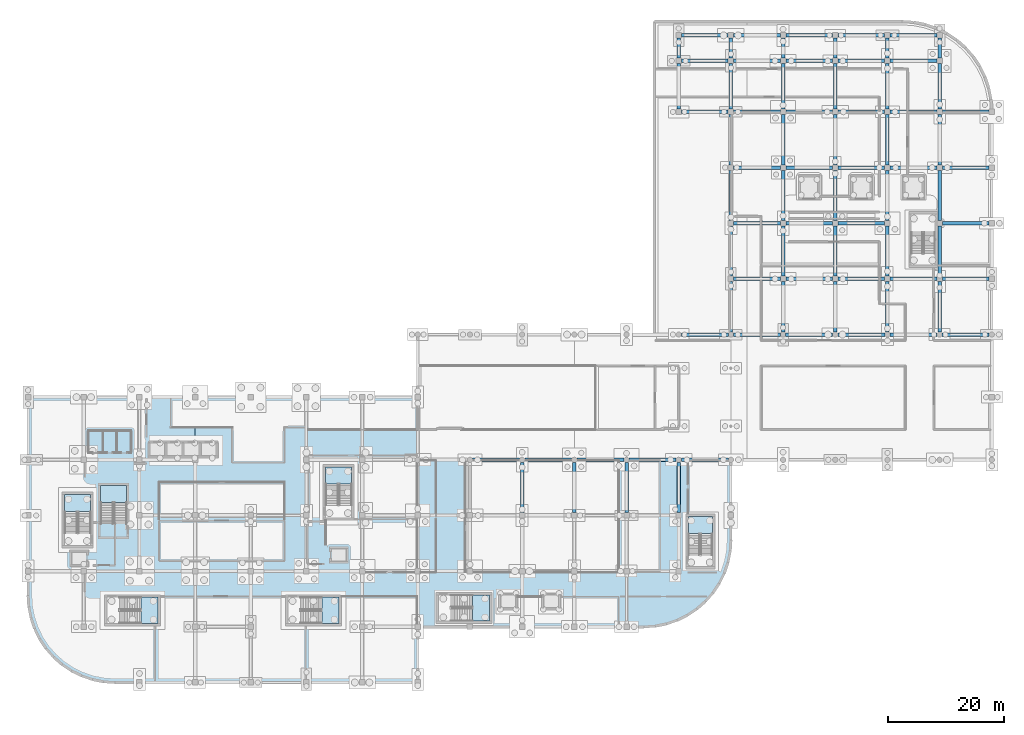
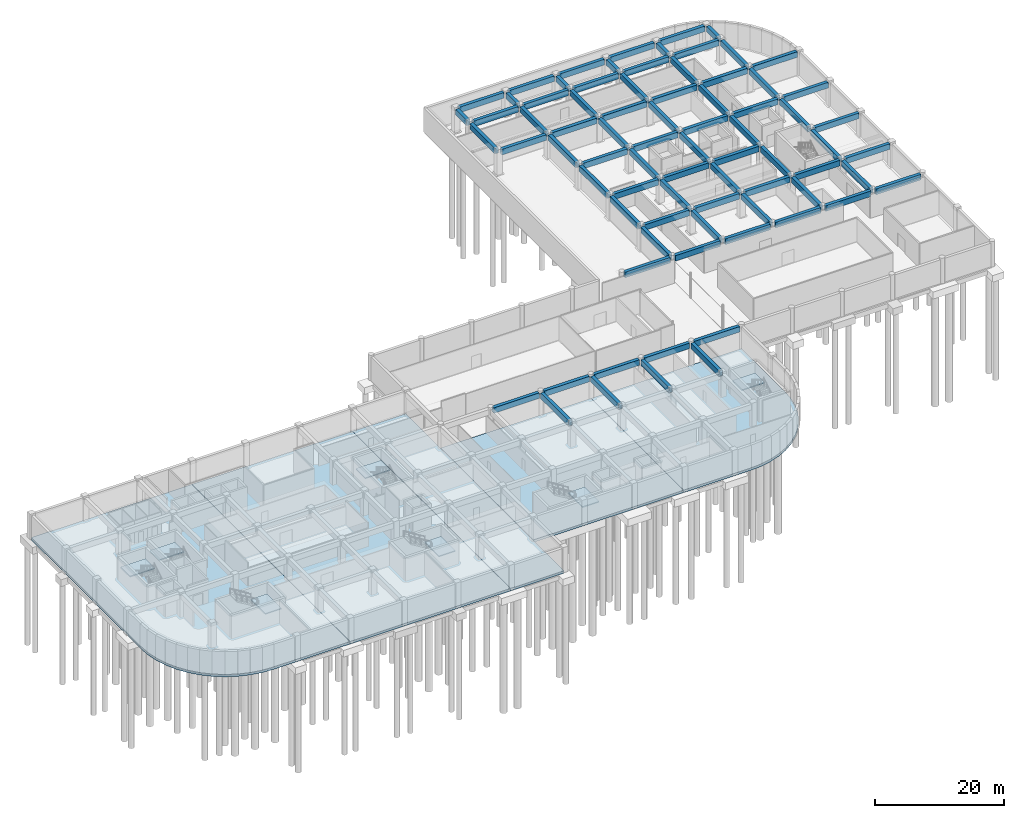
# One storey, part 11 of 47: 77 beams, 12 slabs, 7 elements without a shape of their own.
"""IFC4 building model written with IfcOpenShell, lengths in metres."""

from ifc_helpers import new_model, si_unit, direction, frame, origin, origin_2d, place, context, subcontext, project, spatial, polyline, rectangle, outline, extrude, material, layer, layer_set, material_profile, profile_set, type_object, element, aggregate, save


model = new_model("IFC4")

# Units and contexts
model_context = context("Model", 3, precision=1e-05, world=origin(), true_north=direction((0.0, 1.0)))
body_context = subcontext(model_context, "Body", "Model", "MODEL_VIEW")
ifc_project = project(units=[si_unit("LENGTHUNIT", "METRE"), si_unit("AREAUNIT", "SQUARE_METRE"), si_unit("VOLUMEUNIT", "CUBIC_METRE"), si_unit("PLANEANGLEUNIT", "RADIAN"), si_unit("MASSUNIT", "GRAM", prefix="KILO")], contexts=[model_context])

# Site, building, storey
site_placement = place(None, origin())
site = spatial("IfcSite", under=ifc_project, at=site_placement, CompositionType="ELEMENT")
building_placement = place(site_placement, origin())
building = spatial("IfcBuilding", under=site, at=building_placement, Name="Cendralis Terraced Arcade", CompositionType="ELEMENT")
storey_placement = place(building_placement, frame((0.0, 0.0, -4.800048828125)))
storey = spatial("IfcBuildingStorey", under=building, at=storey_placement, Name="B1", CompositionType="ELEMENT", Elevation=-4.800048828125)

# Beams
ifc_material = material(Name="Concrete f'c 35 MPa", Category="concrete")
ifc_material_profile = material_profile(ifc_material, rectangle(XDim=0.60009765625, YDim=1.050048828125, at=origin_2d()), Name="RC-BM-600x1050", Category="LoadBearing")
ifc_profile_set = profile_set([ifc_material_profile], Name="Concrete f'c 35 MPa")
beam_type = type_object("IfcBeamType", Name="BM-600x1050", PredefinedType="JOIST", material=ifc_profile_set)
for number, where, z_axis, x_axis, name in (
    (1, (76.64990234375, 38.39990234375, 3.97509765625), (1.0, 0.0, 0.0), (0.0, 1.0, 0.0), "Reinforced Concrete Frame Beam BM-X-L00-E-9_10"),
    (2, (85.64990234375, 38.39990234375, 3.97509765625), (1.0, 0.0, 0.0), (0.0, 1.0, 0.0), "Reinforced Concrete Frame Beam BM-X-L00-E-10_11"),
    (3, (94.64990234375, 38.39990234375, 3.97509765625), (1.0, 0.0, 0.0), (0.0, 1.0, 0.0), "Reinforced Concrete Frame Beam BM-X-L00-E-11_12"),
    (4, (103.64990234375, 38.39990234375, 3.97509765625), (1.0, 0.0, 0.0), (0.0, 1.0, 0.0), "Reinforced Concrete Frame Beam BM-X-L00-E-12_13"),
    (5, (112.64990234375, 38.39990234375, 3.97509765625), (1.0, 0.0, 0.0), (0.0, 1.0, 0.0), "Reinforced Concrete Frame Beam BM-X-L00-E-13_14"),
    (6, (112.64990234375, 60.0, 3.97509765625), (1.0, 0.0, 0.0), (0.0, 1.0, 0.0), "Reinforced Concrete Frame Beam BM-X-L00-G-13_14"),
    (7, (121.64990234375, 60.0, 3.97509765625), (1.0, 0.0, 0.0), (0.0, 1.0, 0.0), "Reinforced Concrete Frame Beam BM-X-L00-G-14_15"),
    (8, (130.64990234375, 60.0, 3.97509765625), (1.0, 0.0, 0.0), (0.0, 1.0, 0.0), "Reinforced Concrete Frame Beam BM-X-L00-G-15_16"),
    (9, (139.64990234375, 60.0, 3.97509765625), (1.0, 0.0, 0.0), (0.0, 1.0, 0.0), "Reinforced Concrete Frame Beam BM-X-L00-G-16_17"),
    (10, (148.64990234375, 60.0, 3.97509765625), (1.0, 0.0, 0.0), (0.0, 1.0, 0.0), "Reinforced Concrete Frame Beam BM-X-L00-G-17_18"),
    (11, (157.64990234375, 60.0, 3.97509765625), (1.0, 0.0, 0.0), (0.0, 1.0, 0.0), "Reinforced Concrete Frame Beam BM-X-L00-G-18_19"),
):
    element("IfcBeam", number, at=place(storey_placement, frame(where, z_axis=z_axis, x_axis=x_axis)), inside=storey, type_object=beam_type, Name=name, PredefinedType="JOIST", context=body_context, shape_type="SweptSolid", body=[
        extrude(rectangle(XDim=0.60009765625, YDim=1.050048828125, at=origin_2d()), origin(), (0.0, 0.0, 1.0), 8.10009765625),
    ])
for number, where, z_axis, x_axis, name in (
    (12, (121.675048828125, 69.60009765625, 3.97509765625), (1.0, 0.0, 0.0), (0.0, 1.0, 0.0), "Reinforced Concrete Frame Beam BM-X-L00-H-14_15"),
    (13, (130.675048828125, 69.60009765625, 3.97509765625), (1.0, 0.0, 0.0), (0.0, 1.0, 0.0), "Reinforced Concrete Frame Beam BM-X-L00-H-15_16"),
    (14, (139.675048828125, 69.60009765625, 3.97509765625), (1.0, 0.0, 0.0), (0.0, 1.0, 0.0), "Reinforced Concrete Frame Beam BM-X-L00-H-16_17"),
    (15, (148.675048828125, 69.60009765625, 3.97509765625), (1.0, 0.0, 0.0), (0.0, 1.0, 0.0), "Reinforced Concrete Frame Beam BM-X-L00-H-17_18"),
    (16, (157.675048828125, 69.60009765625, 3.97509765625), (1.0, 0.0, 0.0), (0.0, 1.0, 0.0), "Reinforced Concrete Frame Beam BM-X-L00-H-18_19"),
    (17, (121.675048828125, 79.199951171875, 3.97509765625), (1.0, 0.0, 0.0), (0.0, 1.0, 0.0), "Reinforced Concrete Frame Beam BM-X-L00-J-14_15"),
    (18, (130.675048828125, 79.199951171875, 3.97509765625), (1.0, 0.0, 0.0), (0.0, 1.0, 0.0), "Reinforced Concrete Frame Beam BM-X-L00-J-15_16"),
    (19, (139.675048828125, 79.199951171875, 3.97509765625), (1.0, 0.0, 0.0), (0.0, 1.0, 0.0), "Reinforced Concrete Frame Beam BM-X-L00-J-16_17"),
    (20, (157.675048828125, 79.199951171875, 3.97509765625), (1.0, 0.0, 0.0), (0.0, 1.0, 0.0), "Reinforced Concrete Frame Beam BM-X-L00-J-18_19"),
    (21, (121.675048828125, 88.800048828125, 3.97509765625), (1.0, 0.0, 0.0), (0.0, 1.0, 0.0), "Reinforced Concrete Frame Beam BM-X-L00-K-14_15"),
    (22, (130.675048828125, 88.800048828125, 3.97509765625), (1.0, 0.0, 0.0), (0.0, 1.0, 0.0), "Reinforced Concrete Frame Beam BM-X-L00-K-15_16"),
    (23, (139.675048828125, 88.800048828125, 3.97509765625), (1.0, 0.0, 0.0), (0.0, 1.0, 0.0), "Reinforced Concrete Frame Beam BM-X-L00-K-16_17"),
    (24, (148.675048828125, 88.800048828125, 3.97509765625), (1.0, 0.0, 0.0), (0.0, 1.0, 0.0), "Reinforced Concrete Frame Beam BM-X-L00-K-17_18"),
    (25, (157.675048828125, 88.800048828125, 3.97509765625), (1.0, 0.0, 0.0), (0.0, 1.0, 0.0), "Reinforced Concrete Frame Beam BM-X-L00-K-18_19"),
    (26, (112.675048828125, 98.39990234375, 3.97509765625), (1.0, 0.0, 0.0), (0.0, 1.0, 0.0), "Reinforced Concrete Frame Beam BM-X-L00-L-13_14"),
    (27, (121.675048828125, 98.39990234375, 3.97509765625), (1.0, 0.0, 0.0), (0.0, 1.0, 0.0), "Reinforced Concrete Frame Beam BM-X-L00-L-14_15"),
    (28, (130.675048828125, 98.39990234375, 3.97509765625), (1.0, 0.0, 0.0), (0.0, 1.0, 0.0), "Reinforced Concrete Frame Beam BM-X-L00-L-15_16"),
    (29, (139.675048828125, 98.39990234375, 3.97509765625), (1.0, 0.0, 0.0), (0.0, 1.0, 0.0), "Reinforced Concrete Frame Beam BM-X-L00-L-16_17"),
    (30, (148.675048828125, 98.39990234375, 3.97509765625), (1.0, 0.0, 0.0), (0.0, 1.0, 0.0), "Reinforced Concrete Frame Beam BM-X-L00-L-17_18"),
    (31, (157.675048828125, 98.39990234375, 3.97509765625), (1.0, 0.0, 0.0), (0.0, 1.0, 0.0), "Reinforced Concrete Frame Beam BM-X-L00-L-18_19"),
    (32, (112.675048828125, 107.199951171875, 3.97509765625), (1.0, 0.0, 0.0), (0.0, 1.0, 0.0), "Reinforced Concrete Frame Beam BM-X-L00-M-13_14"),
    (33, (121.675048828125, 107.199951171875, 3.97509765625), (1.0, 0.0, 0.0), (0.0, 1.0, 0.0), "Reinforced Concrete Frame Beam BM-X-L00-M-14_15"),
    (34, (130.675048828125, 107.199951171875, 3.97509765625), (1.0, 0.0, 0.0), (0.0, 1.0, 0.0), "Reinforced Concrete Frame Beam BM-X-L00-M-15_16"),
    (35, (139.675048828125, 107.199951171875, 3.97509765625), (1.0, 0.0, 0.0), (0.0, 1.0, 0.0), "Reinforced Concrete Frame Beam BM-X-L00-M-16_17"),
    (36, (148.675048828125, 107.199951171875, 3.97509765625), (1.0, 0.0, 0.0), (0.0, 1.0, 0.0), "Reinforced Concrete Frame Beam BM-X-L00-M-17_18"),
    (37, (112.675048828125, 111.60009765625, 3.97509765625), (1.0, 0.0, 0.0), (0.0, 1.0, 0.0), "Reinforced Concrete Frame Beam BM-X-L00-N-13_14"),
    (38, (121.675048828125, 111.60009765625, 3.97509765625), (1.0, 0.0, 0.0), (0.0, 1.0, 0.0), "Reinforced Concrete Frame Beam BM-X-L00-N-14_15"),
    (39, (130.675048828125, 111.60009765625, 3.97509765625), (1.0, 0.0, 0.0), (0.0, 1.0, 0.0), "Reinforced Concrete Frame Beam BM-X-L00-N-15_16"),
    (40, (139.675048828125, 111.60009765625, 3.97509765625), (1.0, 0.0, 0.0), (0.0, 1.0, 0.0), "Reinforced Concrete Frame Beam BM-X-L00-N-16_17"),
    (41, (148.675048828125, 111.60009765625, 3.97509765625), (1.0, 0.0, 0.0), (0.0, 1.0, 0.0), "Reinforced Concrete Frame Beam BM-X-L00-N-17_18"),
):
    element("IfcBeam", number, at=place(storey_placement, frame(where, z_axis=z_axis, x_axis=x_axis)), inside=storey, type_object=beam_type, Name=name, PredefinedType="JOIST", context=body_context, shape_type="SweptSolid", body=[
        extrude(rectangle(XDim=0.60009765625, YDim=1.050048828125, at=origin_2d()), origin(), (0.0, 0.0, 1.0), 8.050048828125),
    ])
for number, where, z_axis, x_axis, name in (
    (42, (85.199951171875, 29.27490234375, 3.97509765625), (0.0, 1.0, 0.0), (-1.0, 0.0, 0.0), "Reinforced Concrete Frame Beam BM-Y-L00-10-D_E"),
    (43, (94.199951171875, 29.27490234375, 3.97509765625), (0.0, 1.0, 0.0), (-1.0, 0.0, 0.0), "Reinforced Concrete Frame Beam BM-Y-L00-11-D_E"),
    (44, (103.199951171875, 29.27490234375, 3.97509765625), (0.0, 1.0, 0.0), (-1.0, 0.0, 0.0), "Reinforced Concrete Frame Beam BM-Y-L00-12-D_E"),
    (45, (112.199951171875, 29.27490234375, 3.97509765625), (0.0, 1.0, 0.0), (-1.0, 0.0, 0.0), "Reinforced Concrete Frame Beam BM-Y-L00-13-D_E"),
):
    element("IfcBeam", number, at=place(storey_placement, frame(where, z_axis=z_axis, x_axis=x_axis)), inside=storey, type_object=beam_type, Name=name, PredefinedType="JOIST", context=body_context, shape_type="SweptSolid", body=[
        extrude(rectangle(XDim=0.60009765625, YDim=1.050048828125, at=origin_2d()), origin(), (0.0, 0.0, 1.0), 8.675048828125),
    ])
beam_1_placement = place(storey_placement, frame((112.199951171875, 98.875, 3.97509765625), z_axis=(0.0, 1.0, 0.0), x_axis=(-1.0, 0.0, 0.0)))
element("IfcBeam", 46, at=beam_1_placement, inside=storey, type_object=beam_type, Name="Reinforced Concrete Frame Beam BM-Y-L00-13-L_M", PredefinedType="JOIST", context=body_context, shape_type="SweptSolid", body=[
    extrude(rectangle(XDim=0.60009765625, YDim=1.050048828125, at=origin_2d()), origin(), (0.0, 0.0, 1.0), 7.85009765625),
])
beam_2_placement = place(storey_placement, frame((112.199951171875, 107.675048828125, 3.97509765625), z_axis=(0.0, 1.0, 0.0), x_axis=(-1.0, 0.0, 0.0)))
element("IfcBeam", 47, at=beam_2_placement, inside=storey, type_object=beam_type, Name="Reinforced Concrete Frame Beam BM-Y-L00-13-M_N", PredefinedType="JOIST", context=body_context, shape_type="SweptSolid", body=[
    extrude(rectangle(XDim=0.60009765625, YDim=1.050048828125, at=origin_2d()), origin(), (0.0, 0.0, 1.0), 3.449951171875),
])
beam_3_placement = place(storey_placement, frame((121.199951171875, 60.449951171875, 3.97509765625), z_axis=(0.0, 1.0, 0.0), x_axis=(-1.0, 0.0, 0.0)))
element("IfcBeam", 48, at=beam_3_placement, inside=storey, type_object=beam_type, Name="Reinforced Concrete Frame Beam BM-Y-L00-14-G_H", PredefinedType="JOIST", context=body_context, shape_type="SweptSolid", body=[
    extrude(rectangle(XDim=0.60009765625, YDim=1.050048828125, at=origin_2d()), origin(), (0.0, 0.0, 1.0), 8.675048828125),
])
beam_4_placement = place(storey_placement, frame((121.199951171875, 70.074951171875, 3.97509765625), z_axis=(0.0, 1.0, 0.0), x_axis=(-1.0, 0.0, 0.0)))
element("IfcBeam", 49, at=beam_4_placement, inside=storey, type_object=beam_type, Name="Reinforced Concrete Frame Beam BM-Y-L00-14-H_J", PredefinedType="JOIST", context=body_context, shape_type="SweptSolid", body=[
    extrude(rectangle(XDim=0.60009765625, YDim=1.050048828125, at=origin_2d()), origin(), (0.0, 0.0, 1.0), 8.650146484375),
])
beam_5_placement = place(storey_placement, frame((121.199951171875, 79.675048828125, 3.97509765625), z_axis=(0.0, 1.0, 0.0), x_axis=(-1.0, 0.0, 0.0)))
element("IfcBeam", 50, at=beam_5_placement, inside=storey, type_object=beam_type, Name="Reinforced Concrete Frame Beam BM-Y-L00-14-J_K", PredefinedType="JOIST", context=body_context, shape_type="SweptSolid", body=[
    extrude(rectangle(XDim=0.60009765625, YDim=1.050048828125, at=origin_2d()), origin(), (0.0, 0.0, 1.0), 8.64990234375),
])
beam_6_placement = place(storey_placement, frame((121.199951171875, 89.27490234375, 3.97509765625), z_axis=(0.0, 1.0, 0.0), x_axis=(-1.0, 0.0, 0.0)))
element("IfcBeam", 51, at=beam_6_placement, inside=storey, type_object=beam_type, Name="Reinforced Concrete Frame Beam BM-Y-L00-14-K_L", PredefinedType="JOIST", context=body_context, shape_type="SweptSolid", body=[
    extrude(rectangle(XDim=0.60009765625, YDim=1.050048828125, at=origin_2d()), origin(), (0.0, 0.0, 1.0), 8.650146484375),
])
beam_7_placement = place(storey_placement, frame((121.199951171875, 98.875, 3.97509765625), z_axis=(0.0, 1.0, 0.0), x_axis=(-1.0, 0.0, 0.0)))
element("IfcBeam", 52, at=beam_7_placement, inside=storey, type_object=beam_type, Name="Reinforced Concrete Frame Beam BM-Y-L00-14-L_M", PredefinedType="JOIST", context=body_context, shape_type="SweptSolid", body=[
    extrude(rectangle(XDim=0.60009765625, YDim=1.050048828125, at=origin_2d()), origin(), (0.0, 0.0, 1.0), 7.85009765625),
])
beam_8_placement = place(storey_placement, frame((121.199951171875, 107.675048828125, 3.97509765625), z_axis=(0.0, 1.0, 0.0), x_axis=(-1.0, 0.0, 0.0)))
element("IfcBeam", 53, at=beam_8_placement, inside=storey, type_object=beam_type, Name="Reinforced Concrete Frame Beam BM-Y-L00-14-M_N", PredefinedType="JOIST", context=body_context, shape_type="SweptSolid", body=[
    extrude(rectangle(XDim=0.60009765625, YDim=1.050048828125, at=origin_2d()), origin(), (0.0, 0.0, 1.0), 3.449951171875),
])
beam_9_placement = place(storey_placement, frame((130.199951171875, 60.449951171875, 3.97509765625), z_axis=(0.0, 1.0, 0.0), x_axis=(-1.0, 0.0, 0.0)))
element("IfcBeam", 54, at=beam_9_placement, inside=storey, type_object=beam_type, Name="Reinforced Concrete Frame Beam BM-Y-L00-15-G_H", PredefinedType="JOIST", context=body_context, shape_type="SweptSolid", body=[
    extrude(rectangle(XDim=0.60009765625, YDim=1.050048828125, at=origin_2d()), origin(), (0.0, 0.0, 1.0), 8.675048828125),
])
beam_10_placement = place(storey_placement, frame((130.199951171875, 70.074951171875, 3.97509765625), z_axis=(0.0, 1.0, 0.0), x_axis=(-1.0, 0.0, 0.0)))
element("IfcBeam", 55, at=beam_10_placement, inside=storey, type_object=beam_type, Name="Reinforced Concrete Frame Beam BM-Y-L00-15-H_J", PredefinedType="JOIST", context=body_context, shape_type="SweptSolid", body=[
    extrude(rectangle(XDim=0.60009765625, YDim=1.050048828125, at=origin_2d()), origin(), (0.0, 0.0, 1.0), 8.650146484375),
])
beam_11_placement = place(storey_placement, frame((130.199951171875, 79.675048828125, 3.97509765625), z_axis=(0.0, 1.0, 0.0), x_axis=(-1.0, 0.0, 0.0)))
element("IfcBeam", 56, at=beam_11_placement, inside=storey, type_object=beam_type, Name="Reinforced Concrete Frame Beam BM-Y-L00-15-J_K", PredefinedType="JOIST", context=body_context, shape_type="SweptSolid", body=[
    extrude(rectangle(XDim=0.60009765625, YDim=1.050048828125, at=origin_2d()), origin(), (0.0, 0.0, 1.0), 8.64990234375),
])
beam_12_placement = place(storey_placement, frame((130.199951171875, 89.27490234375, 3.97509765625), z_axis=(0.0, 1.0, 0.0), x_axis=(-1.0, 0.0, 0.0)))
element("IfcBeam", 57, at=beam_12_placement, inside=storey, type_object=beam_type, Name="Reinforced Concrete Frame Beam BM-Y-L00-15-K_L", PredefinedType="JOIST", context=body_context, shape_type="SweptSolid", body=[
    extrude(rectangle(XDim=0.60009765625, YDim=1.050048828125, at=origin_2d()), origin(), (0.0, 0.0, 1.0), 8.650146484375),
])
beam_13_placement = place(storey_placement, frame((130.199951171875, 98.875, 3.97509765625), z_axis=(0.0, 1.0, 0.0), x_axis=(-1.0, 0.0, 0.0)))
element("IfcBeam", 58, at=beam_13_placement, inside=storey, type_object=beam_type, Name="Reinforced Concrete Frame Beam BM-Y-L00-15-L_M", PredefinedType="JOIST", context=body_context, shape_type="SweptSolid", body=[
    extrude(rectangle(XDim=0.60009765625, YDim=1.050048828125, at=origin_2d()), origin(), (0.0, 0.0, 1.0), 7.85009765625),
])
beam_14_placement = place(storey_placement, frame((130.199951171875, 107.675048828125, 3.97509765625), z_axis=(0.0, 1.0, 0.0), x_axis=(-1.0, 0.0, 0.0)))
element("IfcBeam", 59, at=beam_14_placement, inside=storey, type_object=beam_type, Name="Reinforced Concrete Frame Beam BM-Y-L00-15-M_N", PredefinedType="JOIST", context=body_context, shape_type="SweptSolid", body=[
    extrude(rectangle(XDim=0.60009765625, YDim=1.050048828125, at=origin_2d()), origin(), (0.0, 0.0, 1.0), 3.449951171875),
])
beam_15_placement = place(storey_placement, frame((139.199951171875, 60.449951171875, 3.97509765625), z_axis=(0.0, 1.0, 0.0), x_axis=(-1.0, 0.0, 0.0)))
element("IfcBeam", 60, at=beam_15_placement, inside=storey, type_object=beam_type, Name="Reinforced Concrete Frame Beam BM-Y-L00-16-G_H", PredefinedType="JOIST", context=body_context, shape_type="SweptSolid", body=[
    extrude(rectangle(XDim=0.60009765625, YDim=1.050048828125, at=origin_2d()), origin(), (0.0, 0.0, 1.0), 8.675048828125),
])
beam_16_placement = place(storey_placement, frame((139.199951171875, 70.074951171875, 3.97509765625), z_axis=(0.0, 1.0, 0.0), x_axis=(-1.0, 0.0, 0.0)))
element("IfcBeam", 61, at=beam_16_placement, inside=storey, type_object=beam_type, Name="Reinforced Concrete Frame Beam BM-Y-L00-16-H_J", PredefinedType="JOIST", context=body_context, shape_type="SweptSolid", body=[
    extrude(rectangle(XDim=0.60009765625, YDim=1.050048828125, at=origin_2d()), origin(), (0.0, 0.0, 1.0), 8.650146484375),
])
beam_17_placement = place(storey_placement, frame((139.199951171875, 79.675048828125, 3.97509765625), z_axis=(0.0, 1.0, 0.0), x_axis=(-1.0, 0.0, 0.0)))
element("IfcBeam", 62, at=beam_17_placement, inside=storey, type_object=beam_type, Name="Reinforced Concrete Frame Beam BM-Y-L00-16-J_K", PredefinedType="JOIST", context=body_context, shape_type="SweptSolid", body=[
    extrude(rectangle(XDim=0.60009765625, YDim=1.050048828125, at=origin_2d()), origin(), (0.0, 0.0, 1.0), 8.64990234375),
])
beam_18_placement = place(storey_placement, frame((139.199951171875, 89.27490234375, 3.97509765625), z_axis=(0.0, 1.0, 0.0), x_axis=(-1.0, 0.0, 0.0)))
element("IfcBeam", 63, at=beam_18_placement, inside=storey, type_object=beam_type, Name="Reinforced Concrete Frame Beam BM-Y-L00-16-K_L", PredefinedType="JOIST", context=body_context, shape_type="SweptSolid", body=[
    extrude(rectangle(XDim=0.60009765625, YDim=1.050048828125, at=origin_2d()), origin(), (0.0, 0.0, 1.0), 8.650146484375),
])
beam_19_placement = place(storey_placement, frame((139.199951171875, 98.875, 3.97509765625), z_axis=(0.0, 1.0, 0.0), x_axis=(-1.0, 0.0, 0.0)))
element("IfcBeam", 64, at=beam_19_placement, inside=storey, type_object=beam_type, Name="Reinforced Concrete Frame Beam BM-Y-L00-16-L_M", PredefinedType="JOIST", context=body_context, shape_type="SweptSolid", body=[
    extrude(rectangle(XDim=0.60009765625, YDim=1.050048828125, at=origin_2d()), origin(), (0.0, 0.0, 1.0), 7.85009765625),
])
beam_20_placement = place(storey_placement, frame((139.199951171875, 107.675048828125, 3.97509765625), z_axis=(0.0, 1.0, 0.0), x_axis=(-1.0, 0.0, 0.0)))
element("IfcBeam", 65, at=beam_20_placement, inside=storey, type_object=beam_type, Name="Reinforced Concrete Frame Beam BM-Y-L00-16-M_N", PredefinedType="JOIST", context=body_context, shape_type="SweptSolid", body=[
    extrude(rectangle(XDim=0.60009765625, YDim=1.050048828125, at=origin_2d()), origin(), (0.0, 0.0, 1.0), 3.449951171875),
])
beam_21_placement = place(storey_placement, frame((148.199951171875, 60.449951171875, 3.97509765625), z_axis=(0.0, 1.0, 0.0), x_axis=(-1.0, 0.0, 0.0)))
element("IfcBeam", 66, at=beam_21_placement, inside=storey, type_object=beam_type, Name="Reinforced Concrete Frame Beam BM-Y-L00-17-G_H", PredefinedType="JOIST", context=body_context, shape_type="SweptSolid", body=[
    extrude(rectangle(XDim=0.60009765625, YDim=1.050048828125, at=origin_2d()), origin(), (0.0, 0.0, 1.0), 8.675048828125),
])
beam_22_placement = place(storey_placement, frame((148.199951171875, 70.074951171875, 3.97509765625), z_axis=(0.0, 1.0, 0.0), x_axis=(-1.0, 0.0, 0.0)))
element("IfcBeam", 67, at=beam_22_placement, inside=storey, type_object=beam_type, Name="Reinforced Concrete Frame Beam BM-Y-L00-17-H_J", PredefinedType="JOIST", context=body_context, shape_type="SweptSolid", body=[
    extrude(rectangle(XDim=0.60009765625, YDim=1.050048828125, at=origin_2d()), origin(), (0.0, 0.0, 1.0), 8.650146484375),
])
beam_23_placement = place(storey_placement, frame((148.199951171875, 79.675048828125, 3.97509765625), z_axis=(0.0, 1.0, 0.0), x_axis=(-1.0, 0.0, 0.0)))
element("IfcBeam", 68, at=beam_23_placement, inside=storey, type_object=beam_type, Name="Reinforced Concrete Frame Beam BM-Y-L00-17-J_K", PredefinedType="JOIST", context=body_context, shape_type="SweptSolid", body=[
    extrude(rectangle(XDim=0.60009765625, YDim=1.050048828125, at=origin_2d()), origin(), (0.0, 0.0, 1.0), 8.64990234375),
])
beam_24_placement = place(storey_placement, frame((148.199951171875, 89.27490234375, 3.97509765625), z_axis=(0.0, 1.0, 0.0), x_axis=(-1.0, 0.0, 0.0)))
element("IfcBeam", 69, at=beam_24_placement, inside=storey, type_object=beam_type, Name="Reinforced Concrete Frame Beam BM-Y-L00-17-K_L", PredefinedType="JOIST", context=body_context, shape_type="SweptSolid", body=[
    extrude(rectangle(XDim=0.60009765625, YDim=1.050048828125, at=origin_2d()), origin(), (0.0, 0.0, 1.0), 8.650146484375),
])
beam_25_placement = place(storey_placement, frame((148.199951171875, 98.875, 3.97509765625), z_axis=(0.0, 1.0, 0.0), x_axis=(-1.0, 0.0, 0.0)))
element("IfcBeam", 70, at=beam_25_placement, inside=storey, type_object=beam_type, Name="Reinforced Concrete Frame Beam BM-Y-L00-17-L_M", PredefinedType="JOIST", context=body_context, shape_type="SweptSolid", body=[
    extrude(rectangle(XDim=0.60009765625, YDim=1.050048828125, at=origin_2d()), origin(), (0.0, 0.0, 1.0), 7.85009765625),
])
beam_26_placement = place(storey_placement, frame((148.199951171875, 107.675048828125, 3.97509765625), z_axis=(0.0, 1.0, 0.0), x_axis=(-1.0, 0.0, 0.0)))
element("IfcBeam", 71, at=beam_26_placement, inside=storey, type_object=beam_type, Name="Reinforced Concrete Frame Beam BM-Y-L00-17-M_N", PredefinedType="JOIST", context=body_context, shape_type="SweptSolid", body=[
    extrude(rectangle(XDim=0.60009765625, YDim=1.050048828125, at=origin_2d()), origin(), (0.0, 0.0, 1.0), 3.449951171875),
])
beam_27_placement = place(storey_placement, frame((157.199951171875, 60.449951171875, 3.97509765625), z_axis=(0.0, 1.0, 0.0), x_axis=(-1.0, 0.0, 0.0)))
element("IfcBeam", 72, at=beam_27_placement, inside=storey, type_object=beam_type, Name="Reinforced Concrete Frame Beam BM-Y-L00-18-G_H", PredefinedType="JOIST", context=body_context, shape_type="SweptSolid", body=[
    extrude(rectangle(XDim=0.60009765625, YDim=1.050048828125, at=origin_2d()), origin(), (0.0, 0.0, 1.0), 8.675048828125),
])
beam_28_placement = place(storey_placement, frame((157.199951171875, 70.074951171875, 3.97509765625), z_axis=(0.0, 1.0, 0.0), x_axis=(-1.0, 0.0, 0.0)))
element("IfcBeam", 73, at=beam_28_placement, inside=storey, type_object=beam_type, Name="Reinforced Concrete Frame Beam BM-Y-L00-18-H_J", PredefinedType="JOIST", context=body_context, shape_type="SweptSolid", body=[
    extrude(rectangle(XDim=0.60009765625, YDim=1.050048828125, at=origin_2d()), origin(), (0.0, 0.0, 1.0), 8.650146484375),
])
beam_29_placement = place(storey_placement, frame((157.199951171875, 79.675048828125, 3.97509765625), z_axis=(0.0, 1.0, 0.0), x_axis=(-1.0, 0.0, 0.0)))
element("IfcBeam", 74, at=beam_29_placement, inside=storey, type_object=beam_type, Name="Reinforced Concrete Frame Beam BM-Y-L00-18-J_K", PredefinedType="JOIST", context=body_context, shape_type="SweptSolid", body=[
    extrude(rectangle(XDim=0.60009765625, YDim=1.050048828125, at=origin_2d()), origin(), (0.0, 0.0, 1.0), 8.64990234375),
])
beam_30_placement = place(storey_placement, frame((157.199951171875, 89.27490234375, 3.97509765625), z_axis=(0.0, 1.0, 0.0), x_axis=(-1.0, 0.0, 0.0)))
element("IfcBeam", 75, at=beam_30_placement, inside=storey, type_object=beam_type, Name="Reinforced Concrete Frame Beam BM-Y-L00-18-K_L", PredefinedType="JOIST", context=body_context, shape_type="SweptSolid", body=[
    extrude(rectangle(XDim=0.60009765625, YDim=1.050048828125, at=origin_2d()), origin(), (0.0, 0.0, 1.0), 8.650146484375),
])
beam_31_placement = place(storey_placement, frame((157.199951171875, 98.875, 3.97509765625), z_axis=(0.0, 1.0, 0.0), x_axis=(-1.0, 0.0, 0.0)))
element("IfcBeam", 76, at=beam_31_placement, inside=storey, type_object=beam_type, Name="Reinforced Concrete Frame Beam BM-Y-L00-18-L_M", PredefinedType="JOIST", context=body_context, shape_type="SweptSolid", body=[
    extrude(rectangle(XDim=0.60009765625, YDim=1.050048828125, at=origin_2d()), origin(), (0.0, 0.0, 1.0), 7.85009765625),
])
beam_32_placement = place(storey_placement, frame((157.199951171875, 107.675048828125, 3.97509765625), z_axis=(0.0, 1.0, 0.0), x_axis=(-1.0, 0.0, 0.0)))
element("IfcBeam", 77, at=beam_32_placement, inside=storey, type_object=beam_type, Name="Reinforced Concrete Frame Beam BM-Y-L00-18-M_N", PredefinedType="JOIST", context=body_context, shape_type="SweptSolid", body=[
    extrude(rectangle(XDim=0.60009765625, YDim=1.050048828125, at=origin_2d()), origin(), (0.0, 0.0, 1.0), 3.449951171875),
])

# Slabs
ifc_layer_1 = layer(ifc_material, 0.449951171875, Name="SLB-BASE-450")
ifc_layer_set_1 = layer_set([ifc_layer_1], Name="Concrete f'c 35 MPa")
slab_type_1 = type_object("IfcSlabType", Name="SLB-BASE-450", PredefinedType="BASESLAB", material=ifc_layer_set_1)
slab_1_placement = place(storey_placement, frame((0.0, 0.0, -0.449951171875)))
element("IfcSlab", 78, at=slab_1_placement, inside=storey, type_object=slab_type_1, Name="Reinforced Concrete Floor Slab SLB-B1-V1-W1-1", PredefinedType="BASESLAB", context=body_context, shape_type="SweptSolid", body=[
    extrude(outline(polyline([(0.0, 49.199951171875), (28.800048828125, 49.199951171875), (28.800048828125, 0.0), (15.0, 0.0), (13.0419921875, 0.12841796875), (11.11767578125, 0.510986328125), (9.259765625, 1.141845703125), (7.5, 2.009521484375), (5.86865234375, 3.099609375), (4.393310546875, 4.393310546875), (3.099609375, 5.86865234375), (2.009521484375, 7.5), (1.141845703125, 9.259765625), (0.510986328125, 11.11767578125), (0.12841796875, 13.0419921875), (0.0, 15.0), (0.0, 49.199951171875)])), origin(), (0.0, 0.0, 1.0), 0.449951171875),
])
slab_2_placement = place(storey_placement, frame((0.0, 0.0, -0.449951171875)))
element("IfcSlab", 79, at=slab_2_placement, inside=storey, type_object=slab_type_1, Name="Reinforced Concrete Floor Slab SLB-B1-V1-W2-1", PredefinedType="BASESLAB", context=body_context, shape_type="SweptSolid", body=[
    extrude(outline(polyline([(57.60009765625, 0.0), (28.820068359375, 0.0), (28.820068359375, 49.199951171875), (57.60009765625, 49.199951171875), (57.60009765625, 0.0)])), origin(), (0.0, 0.0, 1.0), 0.449951171875),
])
slab_3_placement = place(storey_placement, frame((0.0, 0.0, -0.449951171875)))
element("IfcSlab", 80, at=slab_3_placement, inside=storey, type_object=slab_type_1, Name="Reinforced Concrete Floor Slab SLB-B1-V1-C1-1", PredefinedType="BASESLAB", context=body_context, shape_type="SweptSolid", body=[
    extrude(outline(polyline([(67.199951171875, 0.0), (57.6201171875, 0.0), (57.6201171875, 49.199951171875), (67.199951171875, 49.199951171875), (67.199951171875, 0.0)])), origin(), (0.0, 0.0, 1.0), 0.449951171875),
])
slab_4_placement = place(storey_placement, frame((0.0, 0.0, -0.449951171875)))
element("IfcSlab", 81, at=slab_4_placement, inside=storey, type_object=slab_type_1, Name="Reinforced Concrete Floor Slab SLB-B1-V4-C1-1", PredefinedType="BASESLAB", context=body_context, shape_type="SweptSolid", body=[
    extrude(outline(polyline([(94.199951171875, 9.60009765625), (67.219970703125, 9.60009765625), (67.219970703125, 38.3798828125), (94.199951171875, 38.3798828125), (94.199951171875, 9.60009765625)])), origin(), (0.0, 0.0, 1.0), 0.449951171875),
])
slab_5_placement = place(storey_placement, frame((0.0, 0.0, -0.449951171875)))
element("IfcSlab", 82, at=slab_5_placement, inside=storey, type_object=slab_type_1, Name="Reinforced Concrete Floor Slab SLB-B1-V4-C2-1", PredefinedType="BASESLAB", context=body_context, shape_type="SweptSolid", body=[
    extrude(outline(polyline([(121.199951171875, 24.60009765625), (121.07177734375, 22.64208984375), (120.68896484375, 20.7177734375), (120.05810546875, 18.859619140625), (119.1904296875, 17.10009765625), (118.100341796875, 15.468505859375), (116.806640625, 13.993408203125), (115.331298828125, 12.69970703125), (113.699951171875, 11.609619140625), (111.940185546875, 10.74169921875), (110.082275390625, 10.111083984375), (108.157958984375, 9.728271484375), (106.199951171875, 9.60009765625), (94.219970703125, 9.60009765625), (94.219970703125, 38.3798828125), (121.199951171875, 38.3798828125), (121.199951171875, 24.60009765625)])), origin(), (0.0, 0.0, 1.0), 0.449951171875),
])

# Stair, slab
stair_type_1 = type_object("IfcStairType", Name="STR-W215-H480", PredefinedType="HALF_TURN_STAIR", material=ifc_material)
stair_1_placement = place(storey_placement, origin())
stair_1 = element("IfcStair", 83, at=stair_1_placement, inside=storey, type_object=stair_type_1, Name="B1 Protected Exit Stair ST-01", PredefinedType="HALF_TURN_STAIR")
ifc_layer_2 = layer(ifc_material, 0.199951171875, Name="SLB-STAIR-LND-200")
ifc_layer_set_2 = layer_set([ifc_layer_2], Name="Concrete f'c 35 MPa")
slab_type_2 = type_object("IfcSlabType", Name="SLB-STAIR-LND-200", PredefinedType="LANDING", material=ifc_layer_set_2)
slab_6_placement = place(storey_placement, frame((0.0, 0.0, 2.199951171875)))
slab_6 = element("IfcSlab", 84, at=slab_6_placement, type_object=slab_type_2, Name="ST-01 landing 1", PredefinedType="LANDING", context=body_context, shape_type="SweptSolid", body=[
    extrude(outline(polyline([(10.800048828125, 29.455078125), (10.800048828125, 32.39990234375), (6.300048828125, 32.39990234375), (6.300048828125, 29.455078125), (10.800048828125, 29.455078125)])), origin(), (0.0, 0.0, 1.0), 0.2001953125),
])
aggregate(stair_1, [slab_6])

stair_2_placement = place(storey_placement, origin())
stair_2 = element("IfcStair", 85, at=stair_2_placement, inside=storey, type_object=stair_type_1, Name="B1 Protected Exit Stair ST-02", PredefinedType="HALF_TURN_STAIR")
slab_7_placement = place(storey_placement, frame((0.0, 0.0, 2.199951171875)))
slab_7 = element("IfcSlab", 86, at=slab_7_placement, type_object=slab_type_2, Name="ST-02 landing 1", PredefinedType="LANDING", context=body_context, shape_type="SweptSolid", body=[
    extrude(outline(polyline([(19.455078125, 10.199951171875), (22.39990234375, 10.199951171875), (22.39990234375, 14.699951171875), (19.455078125, 14.699951171875), (19.455078125, 10.199951171875)])), origin(), (0.0, 0.0, 1.0), 0.2001953125),
])
aggregate(stair_2, [slab_7])

stair_3_placement = place(storey_placement, origin())
stair_3 = element("IfcStair", 87, at=stair_3_placement, inside=storey, type_object=stair_type_1, Name="B1 Protected Exit Stair ST-03", PredefinedType="HALF_TURN_STAIR")
slab_8_placement = place(storey_placement, frame((0.0, 0.0, 2.199951171875)))
slab_8 = element("IfcSlab", 88, at=slab_8_placement, type_object=slab_type_2, Name="ST-03 landing 1", PredefinedType="LANDING", context=body_context, shape_type="SweptSolid", body=[
    extrude(outline(polyline([(50.655029296875, 10.199951171875), (53.60009765625, 10.199951171875), (53.60009765625, 14.699951171875), (50.655029296875, 14.699951171875), (50.655029296875, 10.199951171875)])), origin(), (0.0, 0.0, 1.0), 0.2001953125),
])
aggregate(stair_3, [slab_8])

stair_4_placement = place(storey_placement, origin())
stair_4 = element("IfcStair", 89, at=stair_4_placement, inside=storey, type_object=stair_type_1, Name="B1 Protected Exit Stair ST-04", PredefinedType="HALF_TURN_STAIR")
slab_9_placement = place(storey_placement, frame((0.0, 0.0, 2.199951171875)))
slab_9 = element("IfcSlab", 90, at=slab_9_placement, type_object=slab_type_2, Name="ST-04 landing 1", PredefinedType="LANDING", context=body_context, shape_type="SweptSolid", body=[
    extrude(outline(polyline([(55.800048828125, 34.2548828125), (55.800048828125, 37.199951171875), (51.300048828125, 37.199951171875), (51.300048828125, 34.2548828125), (55.800048828125, 34.2548828125)])), origin(), (0.0, 0.0, 1.0), 0.2001953125),
])
aggregate(stair_4, [slab_9])

stair_5_placement = place(storey_placement, origin())
stair_5 = element("IfcStair", 91, at=stair_5_placement, inside=storey, type_object=stair_type_1, Name="B1 Protected Exit Stair ST-05", PredefinedType="HALF_TURN_STAIR")
slab_10_placement = place(storey_placement, frame((0.0, 0.0, 2.199951171875)))
slab_10 = element("IfcSlab", 92, at=slab_10_placement, type_object=slab_type_2, Name="ST-05 landing 1", PredefinedType="LANDING", context=body_context, shape_type="SweptSolid", body=[
    extrude(outline(polyline([(17.0, 31.054931640625), (17.0, 34.0), (12.5, 34.0), (12.5, 31.054931640625), (17.0, 31.054931640625)])), origin(), (0.0, 0.0, 1.0), 0.2001953125),
])
aggregate(stair_5, [slab_10])

stair_6_placement = place(storey_placement, origin())
stair_6 = element("IfcStair", 93, at=stair_6_placement, inside=storey, type_object=stair_type_1, Name="B1 Protected Exit Stair ST-08", PredefinedType="HALF_TURN_STAIR")
slab_11_placement = place(storey_placement, frame((0.0, 0.0, 2.199951171875)))
slab_11 = element("IfcSlab", 94, at=slab_11_placement, type_object=slab_type_2, Name="ST-08 landing 1", PredefinedType="LANDING", context=body_context, shape_type="SweptSolid", body=[
    extrude(outline(polyline([(76.655029296875, 10.60009765625), (79.60009765625, 10.60009765625), (79.60009765625, 15.10009765625), (76.655029296875, 15.10009765625), (76.655029296875, 10.60009765625)])), origin(), (0.0, 0.0, 1.0), 0.2001953125),
])
aggregate(stair_6, [slab_11])

stair_type_2 = type_object("IfcStairType", Name="STR-W195-H480", PredefinedType="HALF_TURN_STAIR", material=ifc_material)
stair_7_placement = place(storey_placement, origin())
stair_7 = element("IfcStair", 95, at=stair_7_placement, inside=storey, type_object=stair_type_2, Name="B1 Protected Exit Stair ST-09", PredefinedType="HALF_TURN_STAIR")
slab_12_placement = place(storey_placement, frame((0.0, 0.0, 2.199951171875)))
slab_12 = element("IfcSlab", 96, at=slab_12_placement, type_object=slab_type_2, Name="ST-09 landing 1", PredefinedType="LANDING", context=body_context, shape_type="SweptSolid", body=[
    extrude(outline(polyline([(118.0, 25.655029296875), (118.0, 28.60009765625), (113.89990234375, 28.60009765625), (113.89990234375, 25.655029296875), (118.0, 25.655029296875)])), origin(), (0.0, 0.0, 1.0), 0.2001953125),
])
aggregate(stair_7, [slab_12])

save(model, "model.ifc")
